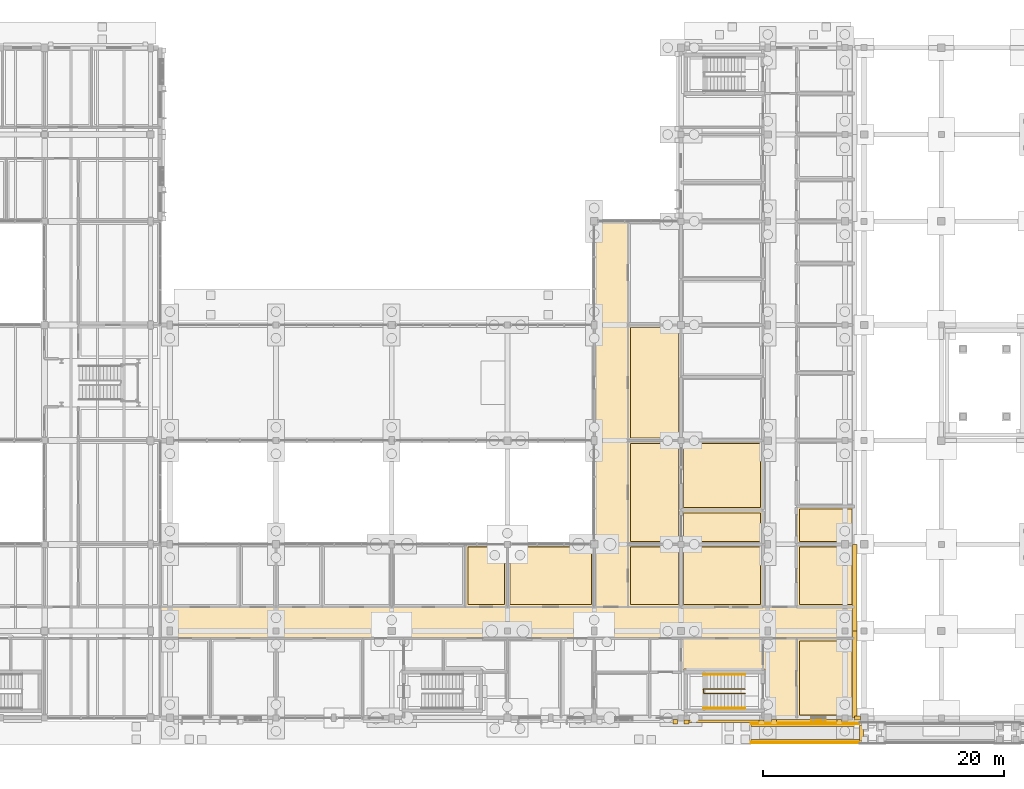
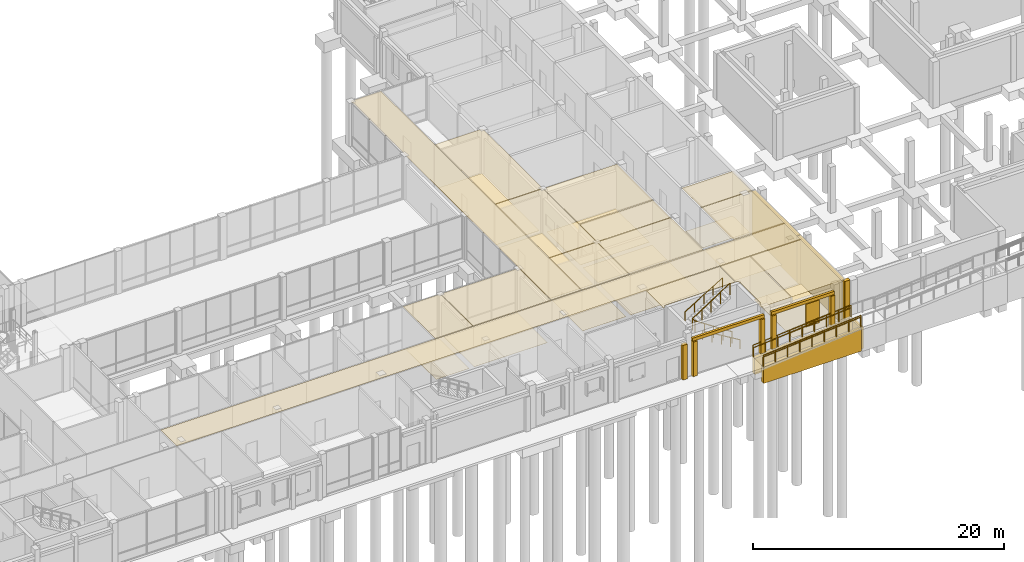
# One storey, part 99 of 104: 39 coverings, 7 railings, 1 shading device.
"""IFC4 building model written with IfcOpenShell, lengths in metres."""

from ifc_helpers import new_model, si_unit, direction, frame, frame_2d, origin, origin_2d, place, context, subcontext, project, spatial, polyline, rectangle, circle, outline, extrude, material, layer, layer_set, type_object, element, save


model = new_model("IFC4")

# Units and contexts
model_context = context("Model", 3, precision=1e-05, world=origin(), true_north=direction((0.0, 1.0)))
body_context = subcontext(model_context, "Body", "Model", "MODEL_VIEW")
ifc_project = project(units=[si_unit("LENGTHUNIT", "METRE"), si_unit("AREAUNIT", "SQUARE_METRE"), si_unit("VOLUMEUNIT", "CUBIC_METRE"), si_unit("PLANEANGLEUNIT", "RADIAN"), si_unit("MASSUNIT", "GRAM", prefix="KILO")], contexts=[model_context])

# Site, building, storey
site_placement = place(None, origin())
site = spatial("IfcSite", under=ifc_project, at=site_placement, CompositionType="ELEMENT")
building_placement = place(site_placement, origin())
building = spatial("IfcBuilding", under=site, at=building_placement, Name="Hawrajan Terrace Health Centre", CompositionType="ELEMENT")
storey_placement = place(building_placement, origin())
storey = spatial("IfcBuildingStorey", under=building, at=storey_placement, Name="L00", CompositionType="ELEMENT", Elevation=0.0)

# Coverings
ifc_material_1 = material(Name="Precast concrete C40/50", Category="concrete")
ifc_layer_1 = layer(ifc_material_1, 0.219970703125)
ifc_layer_set_1 = layer_set([ifc_layer_1], Name="Precast concrete C40/50")
covering_type_1 = type_object("IfcCoveringType", Name="ArtDecoCorniceBand", PredefinedType="CLADDING", material=ifc_layer_set_1)
covering_1_placement = place(storey_placement, frame((118.574951171875, 3.929931640625, 3.3701171875), z_axis=(0.0, 0.0, 1.0), x_axis=(1.0, 0.0, 0.0)))
element("IfcCovering", 1, at=covering_1_placement, inside=storey, type_object=covering_type_1, Name="Art Deco limestone cornice band CRN-L00-0041", PredefinedType="CLADDING", context=body_context, shape_type="SweptSolid", body=[
    extrude(rectangle(XDim=6.610107421875, YDim=0.219970703125, at=origin_2d()), origin(), (0.0, 0.0, 1.0), 0.300048828125),
])
covering_2_placement = place(storey_placement, frame((125.425048828125, 3.93994140625, 3.3701171875), z_axis=(0.0, 0.0, 1.0), x_axis=(1.0, 0.0, 0.0)))
element("IfcCovering", 2, at=covering_2_placement, inside=storey, type_object=covering_type_1, Name="Art Deco limestone cornice band CRN-L00-0045", PredefinedType="CLADDING", context=body_context, shape_type="SweptSolid", body=[
    extrude(rectangle(XDim=5.81005859375, YDim=0.219970703125, at=origin_2d()), origin(), (0.0, 0.0, 1.0), 0.300048828125),
])
ifc_layer_2 = layer(ifc_material_1, 0.340087890625)
ifc_layer_set_2 = layer_set([ifc_layer_2], Name="Precast concrete C40/50")
covering_type_2 = type_object("IfcCoveringType", Name="ArtDecoStonePilaster", PredefinedType="CLADDING", material=ifc_layer_set_2)
for number, where, z_axis, x_axis, name in (
    (3, (114.530029296875, 3.8798828125, 0.0), (0.0, 0.0, 1.0), (1.0, 0.0, 0.0), "Art Deco fluted limestone pilaster FPIL-L00-0050"),
    (4, (115.469970703125, 3.8701171875, 0.0), (0.0, 0.0, 1.0), (1.0, 0.0, 0.0), "Art Deco fluted limestone pilaster FPIL-L00-0051"),
    (5, (121.679931640625, 3.8701171875, 0.0), (0.0, 0.0, 1.0), (1.0, 0.0, 0.0), "Art Deco fluted limestone pilaster FPIL-L00-0052"),
    (6, (122.719970703125, 3.8798828125, 0.0), (0.0, 0.0, 1.0), (1.0, 0.0, 0.0), "Art Deco fluted limestone pilaster FPIL-L00-0059"),
    (7, (128.1298828125, 3.8798828125, 0.0), (0.0, 0.0, 1.0), (1.0, 0.0, 0.0), "Art Deco fluted limestone pilaster FPIL-L00-0060"),
):
    element("IfcCovering", number, at=place(storey_placement, frame(where, z_axis=z_axis, x_axis=x_axis)), inside=storey, type_object=covering_type_2, Name=name, PredefinedType="CLADDING", context=body_context, shape_type="SweptSolid", body=[
        extrude(rectangle(XDim=0.39990234375, YDim=0.340087890625, at=origin_2d()), origin(), (0.0, 0.0, 1.0), 3.360107421875),
    ])
ifc_material_2 = material(Name="Acoustic linear cedar-slat suspended ceiling")
ifc_layer_3 = layer(ifc_material_2, 0.034912109375)
ifc_layer_set_3 = layer_set([ifc_layer_3], Name="Acoustic linear cedar-slat suspended ceiling")
covering_type_3 = type_object("IfcCoveringType", Name="CedarSlatHallCeiling_35", PredefinedType="CEILING", material=ifc_layer_set_3)
covering_3_placement = place(storey_placement, frame((0.0, 0.0, 4.14501953125)))
element("IfcCovering", 8, at=covering_3_placement, inside=storey, type_object=covering_type_3, Name="Suspended ceiling L00-052", PredefinedType="CEILING", context=body_context, shape_type="SweptSolid", body=[
    extrude(outline(polyline([(110.6201171875, 36.780029296875), (114.97998046875, 36.780029296875), (114.97998046875, 27.219970703125), (110.6201171875, 27.219970703125), (110.6201171875, 36.780029296875)])), origin(), (0.0, 0.0, 1.0), 0.034912109375),
])
covering_4_placement = place(storey_placement, frame((0.0, 0.0, 4.14501953125)))
element("IfcCovering", 9, at=covering_4_placement, inside=storey, type_object=covering_type_3, Name="Suspended ceiling L00-059", PredefinedType="CEILING", context=body_context, shape_type="SweptSolid", body=[
    extrude(outline(polyline([(110.6201171875, 27.179931640625), (114.97998046875, 27.179931640625), (114.97998046875, 18.6201171875), (110.6201171875, 18.6201171875), (110.6201171875, 27.179931640625)])), origin(), (0.0, 0.0, 1.0), 0.034912109375),
])
ifc_material_3 = material(Name="Hygienic mineral-fibre acoustic tile ceiling")
ifc_layer_4 = layer(ifc_material_3, 0.02490234375)
ifc_layer_set_4 = layer_set([ifc_layer_4], Name="Hygienic mineral-fibre acoustic tile ceiling")
covering_type_4 = type_object("IfcCoveringType", Name="ClinicalAcousticCeiling_25", PredefinedType="CEILING", material=ifc_layer_set_4)
covering_5_placement = place(storey_placement, frame((0.0, 0.0, 4.155029296875)))
element("IfcCovering", 10, at=covering_5_placement, inside=storey, type_object=covering_type_4, Name="Suspended ceiling L00-032", PredefinedType="CEILING", context=body_context, shape_type="SweptSolid", body=[
    extrude(outline(polyline([(71.824951171875, 13.3798828125), (129.375, 13.3798828125), (129.375, 10.820068359375), (71.824951171875, 10.820068359375), (71.824951171875, 13.3798828125)])), origin(), (0.0, 0.0, 1.0), 0.02490234375),
])
covering_6_placement = place(storey_placement, frame((0.0, 0.0, 4.155029296875)))
element("IfcCovering", 11, at=covering_6_placement, inside=storey, type_object=covering_type_4, Name="Suspended ceiling L00-034", PredefinedType="CEILING", context=body_context, shape_type="SweptSolid", body=[
    extrude(outline(polyline([(121.820068359375, 10.780029296875), (124.580078125, 10.780029296875), (124.580078125, 4.219970703125), (121.820068359375, 4.219970703125), (121.820068359375, 4.531005859375), (121.825439453125, 4.53125), (121.827392578125, 4.531494140625), (121.851806640625, 4.534912109375), (121.853515625, 4.535400390625), (121.87744140625, 4.54150390625), (121.87939453125, 4.5419921875), (121.90234375, 4.55029296875), (121.904296875, 4.551025390625), (121.926513671875, 4.561279296875), (121.927978515625, 4.5625), (121.94921875, 4.574951171875), (121.95068359375, 4.576171875), (121.970458984375, 4.5908203125), (121.971923828125, 4.591796875), (121.990234375, 4.6083984375), (121.99169921875, 4.60986328125), (122.008056640625, 4.6279296875), (122.00927734375, 4.62939453125), (122.02392578125, 4.649169921875), (122.02490234375, 4.65087890625), (122.03759765625, 4.671875), (122.03857421875, 4.673583984375), (122.049072265625, 4.69580078125), (122.0498046875, 4.697509765625), (122.05810546875, 4.720703125), (122.05859375, 4.72265625), (122.064697265625, 4.746337890625), (122.06494140625, 4.748291015625), (122.068603515625, 4.772705078125), (122.06884765625, 4.7744140625), (122.070068359375, 4.799072265625), (122.070068359375, 4.800048828125), (122.070068359375, 8.0), (122.070068359375, 8.0009765625), (122.06884765625, 8.025390625), (122.068603515625, 8.02734375), (122.06494140625, 8.0517578125), (122.064697265625, 8.0537109375), (122.05859375, 8.077392578125), (122.05810546875, 8.079345703125), (122.0498046875, 8.102294921875), (122.049072265625, 8.104248046875), (122.03857421875, 8.12646484375), (122.03759765625, 8.128173828125), (122.02490234375, 8.149169921875), (122.02392578125, 8.15087890625), (122.00927734375, 8.17041015625), (122.008056640625, 8.172119140625), (121.99169921875, 8.190185546875), (121.990234375, 8.191650390625), (121.971923828125, 8.2080078125), (121.970458984375, 8.209228515625), (121.95068359375, 8.223876953125), (121.94921875, 8.22509765625), (121.927978515625, 8.237548828125), (121.926513671875, 8.238525390625), (121.904296875, 8.2490234375), (121.90234375, 8.249755859375), (121.87939453125, 8.258056640625), (121.87744140625, 8.258544921875), (121.853515625, 8.2646484375), (121.851806640625, 8.264892578125), (121.827392578125, 8.2685546875), (121.825439453125, 8.268798828125), (121.820068359375, 8.26904296875), (121.820068359375, 10.780029296875)])), origin(), (0.0, 0.0, 1.0), 0.02490234375),
])
covering_7_placement = place(storey_placement, frame((0.0, 0.0, 4.155029296875)))
element("IfcCovering", 12, at=covering_7_placement, inside=storey, type_object=covering_type_4, Name="Suspended ceiling L00-037", PredefinedType="CEILING", context=body_context, shape_type="SweptSolid", body=[
    extrude(outline(polyline([(115.02001953125, 8.02001953125), (115.02001953125, 10.780029296875), (121.780029296875, 10.780029296875), (121.780029296875, 8.27001953125), (115.39990234375, 8.27001953125), (115.39892578125, 8.27001953125), (115.37451171875, 8.268798828125), (115.37255859375, 8.2685546875), (115.348388671875, 8.264892578125), (115.346435546875, 8.2646484375), (115.322509765625, 8.258544921875), (115.32080078125, 8.258056640625), (115.297607421875, 8.249755859375), (115.2958984375, 8.2490234375), (115.273681640625, 8.238525390625), (115.27197265625, 8.237548828125), (115.250732421875, 8.22509765625), (115.249267578125, 8.223876953125), (115.2294921875, 8.209228515625), (115.22802734375, 8.2080078125), (115.209716796875, 8.191650390625), (115.20849609375, 8.190185546875), (115.19189453125, 8.172119140625), (115.190673828125, 8.17041015625), (115.176025390625, 8.15087890625), (115.175048828125, 8.149169921875), (115.162353515625, 8.128173828125), (115.161376953125, 8.12646484375), (115.15087890625, 8.104248046875), (115.150146484375, 8.102294921875), (115.141845703125, 8.079345703125), (115.141357421875, 8.077392578125), (115.135498046875, 8.0537109375), (115.135009765625, 8.0517578125), (115.13134765625, 8.02734375), (115.131103515625, 8.025390625), (115.131103515625, 8.02001953125), (115.02001953125, 8.02001953125)])), origin(), (0.0, 0.0, 1.0), 0.02490234375),
])
covering_8_placement = place(storey_placement, frame((0.0, 0.0, 4.155029296875)))
element("IfcCovering", 13, at=covering_8_placement, inside=storey, type_object=covering_type_4, Name="Suspended ceiling L00-042", PredefinedType="CEILING", context=body_context, shape_type="SweptSolid", body=[
    extrude(outline(polyline([(107.820068359375, 45.3798828125), (110.580078125, 45.3798828125), (110.580078125, 13.419921875), (107.820068359375, 13.419921875), (107.820068359375, 45.3798828125)])), origin(), (0.0, 0.0, 1.0), 0.02490234375),
])
covering_9_placement = place(storey_placement, frame((0.0, 0.0, 4.155029296875)))
element("IfcCovering", 14, at=covering_9_placement, inside=storey, type_object=covering_type_4, Name="Suspended ceiling L00-107", PredefinedType="CEILING", context=body_context, shape_type="SweptSolid", body=[
    extrude(outline(polyline([(97.12548828125, 18.580078125), (100.580078125, 18.580078125), (100.580078125, 13.419921875), (97.12548828125, 13.419921875), (97.12548828125, 18.580078125)])), origin(), (0.0, 0.0, 1.0), 0.02490234375),
])
covering_10_placement = place(storey_placement, frame((0.0, 0.0, 4.155029296875)))
element("IfcCovering", 15, at=covering_10_placement, inside=storey, type_object=covering_type_4, Name="Suspended ceiling L00-110", PredefinedType="CEILING", context=body_context, shape_type="SweptSolid", body=[
    extrude(outline(polyline([(100.6201171875, 18.580078125), (107.780029296875, 18.580078125), (107.780029296875, 13.419921875), (100.6201171875, 13.419921875), (100.6201171875, 18.580078125)])), origin(), (0.0, 0.0, 1.0), 0.02490234375),
])
covering_11_placement = place(storey_placement, frame((0.0, 0.0, 4.155029296875)))
element("IfcCovering", 16, at=covering_11_placement, inside=storey, type_object=covering_type_4, Name="Suspended ceiling L00-112", PredefinedType="CEILING", context=body_context, shape_type="SweptSolid", body=[
    extrude(outline(polyline([(110.6201171875, 18.580078125), (114.97998046875, 18.580078125), (114.97998046875, 13.419921875), (110.6201171875, 13.419921875), (110.6201171875, 18.580078125)])), origin(), (0.0, 0.0, 1.0), 0.02490234375),
])
covering_12_placement = place(storey_placement, frame((0.0, 0.0, 4.155029296875)))
element("IfcCovering", 17, at=covering_12_placement, inside=storey, type_object=covering_type_4, Name="Suspended ceiling L00-126", PredefinedType="CEILING", context=body_context, shape_type="SweptSolid", body=[
    extrude(outline(polyline([(115.02001953125, 18.580078125), (121.780029296875, 18.580078125), (121.780029296875, 13.419921875), (115.02001953125, 13.419921875), (115.02001953125, 18.580078125)])), origin(), (0.0, 0.0, 1.0), 0.02490234375),
])
covering_13_placement = place(storey_placement, frame((0.0, 0.0, 4.155029296875)))
element("IfcCovering", 18, at=covering_13_placement, inside=storey, type_object=covering_type_4, Name="Suspended ceiling L00-127", PredefinedType="CEILING", context=body_context, shape_type="SweptSolid", body=[
    extrude(outline(polyline([(115.02001953125, 21.409423828125), (121.780029296875, 21.409423828125), (121.780029296875, 18.6201171875), (115.02001953125, 18.6201171875), (115.02001953125, 21.409423828125)])), origin(), (0.0, 0.0, 1.0), 0.02490234375),
])
covering_14_placement = place(storey_placement, frame((0.0, 0.0, 4.155029296875)))
element("IfcCovering", 19, at=covering_14_placement, inside=storey, type_object=covering_type_4, Name="Suspended ceiling L00-128", PredefinedType="CEILING", context=body_context, shape_type="SweptSolid", body=[
    extrude(outline(polyline([(115.02001953125, 27.179931640625), (121.780029296875, 27.179931640625), (121.780029296875, 21.449462890625), (115.02001953125, 21.449462890625), (115.02001953125, 27.179931640625)])), origin(), (0.0, 0.0, 1.0), 0.02490234375),
])
covering_15_placement = place(storey_placement, frame((0.0, 0.0, 4.155029296875)))
element("IfcCovering", 20, at=covering_15_placement, inside=storey, type_object=covering_type_4, Name="Suspended ceiling L00-135", PredefinedType="CEILING", context=body_context, shape_type="SweptSolid", body=[
    extrude(outline(polyline([(124.6201171875, 10.780029296875), (129.375, 10.780029296875), (129.375, 4.219970703125), (124.6201171875, 4.219970703125), (124.6201171875, 10.780029296875)])), origin(), (0.0, 0.0, 1.0), 0.02490234375),
])
covering_16_placement = place(storey_placement, frame((0.0, 0.0, 4.155029296875)))
element("IfcCovering", 21, at=covering_16_placement, inside=storey, type_object=covering_type_4, Name="Suspended ceiling L00-136", PredefinedType="CEILING", context=body_context, shape_type="SweptSolid", body=[
    extrude(outline(polyline([(124.6201171875, 18.580078125), (129.375, 18.580078125), (129.375, 13.419921875), (124.6201171875, 13.419921875), (124.6201171875, 18.580078125)])), origin(), (0.0, 0.0, 1.0), 0.02490234375),
])
covering_17_placement = place(storey_placement, frame((0.0, 0.0, 4.155029296875)))
element("IfcCovering", 22, at=covering_17_placement, inside=storey, type_object=covering_type_4, Name="Suspended ceiling L00-137", PredefinedType="CEILING", context=body_context, shape_type="SweptSolid", body=[
    extrude(outline(polyline([(124.6201171875, 21.71044921875), (129.375, 21.71044921875), (129.375, 18.6201171875), (124.6201171875, 18.6201171875), (124.6201171875, 21.71044921875)])), origin(), (0.0, 0.0, 1.0), 0.02490234375),
])
ifc_material_4 = material(Name="Seamless medical-grade cushioned vinyl flooring")
ifc_layer_5 = layer(ifc_material_4, 0.011962890625)
ifc_layer_set_5 = layer_set([ifc_layer_5], Name="Seamless medical-grade cushioned vinyl flooring")
covering_type_5 = type_object("IfcCoveringType", Name="ClinicalVinylFlooring_12", PredefinedType="FLOORING", material=ifc_layer_set_5)
covering_18_placement = place(storey_placement, origin())
element("IfcCovering", 23, at=covering_18_placement, inside=storey, type_object=covering_type_5, Name="Floor finish L00-107", PredefinedType="FLOORING", context=body_context, shape_type="SweptSolid", body=[
    extrude(outline(polyline([(97.32568359375, 18.3798828125), (100.3798828125, 18.3798828125), (100.3798828125, 13.6201171875), (97.32568359375, 13.6201171875), (97.32568359375, 18.3798828125)])), origin(), (0.0, 0.0, 1.0), 0.011962890625),
])
covering_19_placement = place(storey_placement, origin())
element("IfcCovering", 24, at=covering_19_placement, inside=storey, type_object=covering_type_5, Name="Floor finish L00-110", PredefinedType="FLOORING", context=body_context, shape_type="SweptSolid", body=[
    extrude(outline(polyline([(100.820068359375, 18.3798828125), (107.580078125, 18.3798828125), (107.580078125, 13.6201171875), (100.820068359375, 13.6201171875), (100.820068359375, 18.3798828125)])), origin(), (0.0, 0.0, 1.0), 0.011962890625),
])
covering_20_placement = place(storey_placement, origin())
element("IfcCovering", 25, at=covering_20_placement, inside=storey, type_object=covering_type_5, Name="Floor finish L00-112", PredefinedType="FLOORING", context=body_context, shape_type="SweptSolid", body=[
    extrude(outline(polyline([(110.820068359375, 18.3798828125), (114.780029296875, 18.3798828125), (114.780029296875, 13.6201171875), (110.820068359375, 13.6201171875), (110.820068359375, 18.3798828125)])), origin(), (0.0, 0.0, 1.0), 0.011962890625),
])
covering_21_placement = place(storey_placement, origin())
element("IfcCovering", 26, at=covering_21_placement, inside=storey, type_object=covering_type_5, Name="Floor finish L00-126", PredefinedType="FLOORING", context=body_context, shape_type="SweptSolid", body=[
    extrude(outline(polyline([(115.219970703125, 18.3798828125), (121.580078125, 18.3798828125), (121.580078125, 13.6201171875), (115.219970703125, 13.6201171875), (115.219970703125, 18.3798828125)])), origin(), (0.0, 0.0, 1.0), 0.011962890625),
])
covering_22_placement = place(storey_placement, origin())
element("IfcCovering", 27, at=covering_22_placement, inside=storey, type_object=covering_type_5, Name="Floor finish L00-127", PredefinedType="FLOORING", context=body_context, shape_type="SweptSolid", body=[
    extrude(outline(polyline([(115.219970703125, 21.20947265625), (121.580078125, 21.20947265625), (121.580078125, 18.820068359375), (115.219970703125, 18.820068359375), (115.219970703125, 21.20947265625)])), origin(), (0.0, 0.0, 1.0), 0.011962890625),
])
covering_23_placement = place(storey_placement, origin())
element("IfcCovering", 28, at=covering_23_placement, inside=storey, type_object=covering_type_5, Name="Floor finish L00-128", PredefinedType="FLOORING", context=body_context, shape_type="SweptSolid", body=[
    extrude(outline(polyline([(115.219970703125, 26.97998046875), (121.580078125, 26.97998046875), (121.580078125, 21.6494140625), (115.219970703125, 21.6494140625), (115.219970703125, 26.97998046875)])), origin(), (0.0, 0.0, 1.0), 0.011962890625),
])
covering_24_placement = place(storey_placement, origin())
element("IfcCovering", 29, at=covering_24_placement, inside=storey, type_object=covering_type_5, Name="Floor finish L00-135", PredefinedType="FLOORING", context=body_context, shape_type="SweptSolid", body=[
    extrude(outline(polyline([(124.820068359375, 10.580078125), (129.175048828125, 10.580078125), (129.175048828125, 4.419921875), (124.820068359375, 4.419921875), (124.820068359375, 10.580078125)])), origin(), (0.0, 0.0, 1.0), 0.011962890625),
])
covering_25_placement = place(storey_placement, origin())
element("IfcCovering", 30, at=covering_25_placement, inside=storey, type_object=covering_type_5, Name="Floor finish L00-136", PredefinedType="FLOORING", context=body_context, shape_type="SweptSolid", body=[
    extrude(outline(polyline([(124.820068359375, 18.3798828125), (129.175048828125, 18.3798828125), (129.175048828125, 13.6201171875), (124.820068359375, 13.6201171875), (124.820068359375, 18.3798828125)])), origin(), (0.0, 0.0, 1.0), 0.011962890625),
])
covering_26_placement = place(storey_placement, origin())
element("IfcCovering", 31, at=covering_26_placement, inside=storey, type_object=covering_type_5, Name="Floor finish L00-137", PredefinedType="FLOORING", context=body_context, shape_type="SweptSolid", body=[
    extrude(outline(polyline([(124.820068359375, 21.510498046875), (129.175048828125, 21.510498046875), (129.175048828125, 18.820068359375), (124.820068359375, 18.820068359375), (124.820068359375, 21.510498046875)])), origin(), (0.0, 0.0, 1.0), 0.011962890625),
])
ifc_layer_6 = layer(ifc_material_1, 0.340087890625)
ifc_layer_set_6 = layer_set([ifc_layer_6], Name="Precast concrete C40/50")
covering_type_6 = type_object("IfcCoveringType", Name="EscarpmentAshlar_Cladding", PredefinedType="CLADDING", material=ifc_layer_set_6)
for number, where, z_axis, x_axis, name in (
    (32, (120.800048828125, 2.239990234375, -1.60009765625), (0.0, 0.0, 1.0), (1.0, 0.0, 0.0), "Ramp limestone cheek cladding AR-01-1"),
    (33, (120.800048828125, 3.659912109375, -1.60009765625), (0.0, 0.0, 1.0), (1.0, 0.0, 0.0), "Ramp limestone cheek cladding AR-01-2"),
):
    element("IfcCovering", number, at=place(storey_placement, frame(where, z_axis=z_axis, x_axis=x_axis)), inside=storey, type_object=covering_type_6, Name=name, PredefinedType="CLADDING", context=body_context, shape_type="SweptSolid", body=[
        extrude(outline(polyline([(0.0, 0.0), (9.0, 0.0), (9.0, 2.16015625), (0.0, 1.580078125), (0.0, 0.0)])), frame((0.0, 0.169921875, 0.0), z_axis=(0.0, -1.0, 0.0), x_axis=(1.0, 0.0, 0.0)), (0.0, 0.0, 1.0), 0.340087890625),
    ])
covering_27_placement = place(storey_placement, frame((129.969970703125, 2.340087890625, -1.60009765625), z_axis=(0.0, 0.0, 1.0), x_axis=(0.0, 1.0, 0.0)))
element("IfcCovering", 34, at=covering_27_placement, inside=storey, type_object=covering_type_6, Name="Escarpment stone plinth cladding RMP-01-LND-W", PredefinedType="CLADDING", context=body_context, shape_type="SweptSolid", body=[
    extrude(rectangle(XDim=1.219970703125, YDim=0.340087890625, at=frame_2d((0.60986328125, 0.0))), origin(), (0.0, 0.0, 1.0), 2.1201171875),
])
covering_28_placement = place(storey_placement, frame((129.419921875, 4.199951171875, -0.39990234375), z_axis=(0.0, 0.0, 1.0), x_axis=(1.0, 0.0, 0.0)))
element("IfcCovering", 35, at=covering_28_placement, inside=storey, type_object=covering_type_6, Name="Eastern limestone escarpment plinth cladding EW-ESC-L00-001", PredefinedType="CLADDING", context=body_context, shape_type="SweptSolid", body=[
    extrude(rectangle(XDim=0.47998046875, YDim=0.340087890625, at=frame_2d((0.239990234375, 0.0))), origin(), (0.0, 0.0, 1.0), 4.52001953125),
])
covering_29_placement = place(storey_placement, frame((129.419921875, 4.199951171875, -0.39990234375), z_axis=(0.0, 0.0, 1.0), x_axis=(0.0, 1.0, 0.0)))
element("IfcCovering", 36, at=covering_29_placement, inside=storey, type_object=covering_type_6, Name="Eastern limestone escarpment plinth cladding EW-ESC-L00-003", PredefinedType="CLADDING", context=body_context, shape_type="SweptSolid", body=[
    extrude(rectangle(XDim=7.199951171875, YDim=0.340087890625, at=frame_2d((3.60009765625, 0.0))), origin(), (0.0, 0.0, 1.0), 4.52001953125),
])
covering_30_placement = place(storey_placement, frame((129.419921875, 11.39990234375, -0.39990234375), z_axis=(0.0, 0.0, 1.0), x_axis=(0.0, 1.0, 0.0)))
element("IfcCovering", 37, at=covering_30_placement, inside=storey, type_object=covering_type_6, Name="Eastern limestone escarpment plinth cladding EW-ESC-L00-004", PredefinedType="CLADDING", context=body_context, shape_type="SweptSolid", body=[
    extrude(rectangle(XDim=7.2001953125, YDim=0.340087890625, at=frame_2d((3.60009765625, 0.0))), origin(), (0.0, 0.0, 1.0), 4.52001953125),
])

# Railings
ifc_material_5 = material(Name="Brushed stainless steel handrail", Category="steel")
railing_type_1 = type_object("IfcRailingType", Name="RampHandrail_920", PredefinedType="HANDRAIL", material=ifc_material_5)
for number, where, name in (
    (38, (120.800048828125, 2.18994140625, 0.0), "Ramp accessible handrail AR-01-H1"),
    (39, (120.800048828125, 3.7099609375, 0.0), "Ramp accessible handrail AR-01-H2"),
):
    element("IfcRailing", number, at=place(storey_placement, frame(where)), inside=storey, type_object=railing_type_1, Name=name, PredefinedType="HANDRAIL", context=body_context, shape_type="SweptSolid", body=[
        extrude(circle(Radius=0.02392578125, at=origin_2d()), frame((0.02880859375, 0.0, 0.898193359375), z_axis=(0.996545758245, 0.0, 0.083045479854), x_axis=(0.0, 1.0, 0.0)), (0.0, 0.0, 1.0), 8.973388671875),
        extrude(circle(Radius=0.02099609375, at=origin_2d()), origin(), (0.0, 0.0, 1.0), 0.866943359375),
        extrude(circle(Radius=0.02099609375, at=origin_2d()), frame((1.125, 0.0, 0.09375)), (0.0, 0.0, 1.0), 0.866943359375),
        extrude(circle(Radius=0.02099609375, at=origin_2d()), frame((2.25, 0.0, 0.1875)), (0.0, 0.0, 1.0), 0.866943359375),
        extrude(circle(Radius=0.02099609375, at=origin_2d()), frame((3.375, 0.0, 0.28125)), (0.0, 0.0, 1.0), 0.866943359375),
        extrude(circle(Radius=0.02099609375, at=origin_2d()), frame((4.5, 0.0, 0.375)), (0.0, 0.0, 1.0), 0.866943359375),
        extrude(circle(Radius=0.02099609375, at=origin_2d()), frame((5.625, 0.0, 0.46875)), (0.0, 0.0, 1.0), 0.866943359375),
        extrude(circle(Radius=0.02099609375, at=origin_2d()), frame((6.75, 0.0, 0.5625)), (0.0, 0.0, 1.0), 0.866943359375),
        extrude(circle(Radius=0.02099609375, at=origin_2d()), frame((7.875, 0.0, 0.65625)), (0.0, 0.0, 1.0), 0.866943359375),
        extrude(circle(Radius=0.02099609375, at=origin_2d()), frame((9.0, 0.0, 0.75)), (0.0, 0.0, 1.0), 0.866943359375),
    ])

# Shading device
ifc_material_6 = material(Name="Anodized bronze and cedar roshan lattice")
ifc_layer_7 = layer(ifc_material_6, 0.080078125)
ifc_layer_set_7 = layer_set([ifc_layer_7], Name="Anodized bronze and cedar roshan lattice")
shading_device_type = type_object("IfcShadingDeviceType", Name="RoshanScreen_BronzeCedar", PredefinedType="JALOUSIE", material=ifc_layer_set_7)
shading_device_placement = place(storey_placement, frame((126.4150390625, 4.0048828125, 1.0), z_axis=(0.0, 0.0, 1.0), x_axis=(1.0, 0.0, 0.0)))
element("IfcShadingDevice", 40, at=shading_device_placement, inside=storey, type_object=shading_device_type, Name="Hijazi roshan solar screen RSH-L00-045", PredefinedType="JALOUSIE", context=body_context, shape_type="SweptSolid", body=[
    extrude(rectangle(XDim=1.219970703125, YDim=0.080078125, at=origin_2d()), origin(), (0.0, 0.0, 1.0), 2.199951171875),
])

# Railings
ifc_material_7 = material(Name="Brushed stainless steel tubular handrail", Category="steel")
railing_type_2 = type_object("IfcRailingType", Name="StairHandrail_900", PredefinedType="HANDRAIL", material=ifc_material_7)
railing_1_placement = place(storey_placement, frame((120.324951171875, 5.0, 0.173095703125)))
element("IfcRailing", 41, at=railing_1_placement, inside=storey, type_object=railing_type_2, Name="Stair handrail ST-6-L00-H1", PredefinedType="HANDRAIL", context=body_context, shape_type="SweptSolid", body=[
    extrude(circle(Radius=0.02392578125, at=origin_2d()), frame((-0.024658203125, 0.0, 0.890625), z_axis=(-0.856732359591, 0.0, 0.515761247119), x_axis=(0.0, -1.0, 0.0)), (0.0, 0.0, 1.0), 3.96923828125),
    extrude(circle(Radius=0.02099609375, at=origin_2d()), origin(), (0.0, 0.0, 1.0), 0.846923828125),
    extrude(circle(Radius=0.02099609375, at=origin_2d()), frame((-0.862548828125, 0.0, 0.519287109375)), (0.0, 0.0, 1.0), 0.846923828125),
    extrude(circle(Radius=0.02099609375, at=origin_2d()), frame((-1.72509765625, 0.0, 1.03857421875)), (0.0, 0.0, 1.0), 0.846923828125),
    extrude(circle(Radius=0.02099609375, at=origin_2d()), frame((-2.58740234375, 0.0, 1.5576171875)), (0.0, 0.0, 1.0), 0.846923828125),
    extrude(circle(Radius=0.02099609375, at=origin_2d()), frame((-3.449951171875, 0.0, 2.076904296875)), (0.0, 0.0, 1.0), 0.846923828125),
])
railing_2_placement = place(storey_placement, frame((116.875, 7.800048828125, 2.423095703125)))
element("IfcRailing", 42, at=railing_2_placement, inside=storey, type_object=railing_type_2, Name="Stair handrail ST-6-L00-H2", PredefinedType="HANDRAIL", context=body_context, shape_type="SweptSolid", body=[
    extrude(circle(Radius=0.02392578125, at=origin_2d()), frame((0.024658203125, 0.0, 0.890625), z_axis=(0.856732359591, 0.0, 0.515761247119), x_axis=(0.0, 1.0, 0.0)), (0.0, 0.0, 1.0), 3.96923828125),
    extrude(circle(Radius=0.02099609375, at=origin_2d()), origin(), (0.0, 0.0, 1.0), 0.846923828125),
    extrude(circle(Radius=0.02099609375, at=origin_2d()), frame((0.862548828125, 0.0, 0.519287109375)), (0.0, 0.0, 1.0), 0.846923828125),
    extrude(circle(Radius=0.02099609375, at=origin_2d()), frame((1.72509765625, 0.0, 1.03857421875)), (0.0, 0.0, 1.0), 0.846923828125),
    extrude(circle(Radius=0.02099609375, at=origin_2d()), frame((2.58740234375, 0.0, 1.5576171875)), (0.0, 0.0, 1.0), 0.846923828125),
    extrude(circle(Radius=0.02099609375, at=origin_2d()), frame((3.449951171875, 0.0, 2.076904296875)), (0.0, 0.0, 1.0), 0.846923828125),
])
ifc_material_8 = material(Name="Painted steel stair well guard", Category="steel")
railing_type_3 = type_object("IfcRailingType", Name="StairWellGuard_1120", PredefinedType="GUARDRAIL", material=ifc_material_8)
railing_3_placement = place(storey_placement, frame((120.300048828125, 6.219970703125, 0.0)))
element("IfcRailing", 43, at=railing_3_placement, inside=storey, type_object=railing_type_3, Name="Stair well guard ST-6-L00-G1", PredefinedType="GUARDRAIL", context=body_context, shape_type="SweptSolid", body=[
    extrude(circle(Radius=0.02392578125, at=origin_2d()), frame((-0.024169921875, 0.0, 1.112060546875), z_axis=(-0.833943147616, 0.0, 0.551850366082), x_axis=(0.0, -1.0, 0.0)), (0.0, 0.0, 1.0), 4.01953125),
    extrude(circle(Radius=0.02392578125, at=origin_2d()), frame((-3.404052734375, 0.028564453125, 3.34619140625), z_axis=(-0.137000993654, 0.99057091, 0.0), x_axis=(-0.99057091, -0.137000993654, 0.0)), (0.0, 0.0, 1.0), 0.305908203125),
    extrude(circle(Radius=0.02392578125, at=origin_2d()), frame((-3.42578125, 0.360107421875, 3.36181640625), z_axis=(0.837607059222, 0.0, 0.546273204854), x_axis=(0.0, 1.0, 0.0)), (0.0, 0.0, 1.0), 4.06103515625),
    extrude(circle(Radius=0.02099609375, at=origin_2d()), origin(), (0.0, 0.0, 1.0), 1.067138671875),
    extrude(circle(Radius=0.02099609375, at=origin_2d()), frame((-0.85009765625, 0.0, 0.5625)), (0.0, 0.0, 1.0), 1.067138671875),
    extrude(circle(Radius=0.02099609375, at=origin_2d()), frame((-1.7001953125, 0.0, 1.125)), (0.0, 0.0, 1.0), 1.067138671875),
    extrude(circle(Radius=0.02099609375, at=origin_2d()), frame((-2.550048828125, 0.0, 1.6875)), (0.0, 0.0, 1.0), 1.067138671875),
    extrude(circle(Radius=0.02099609375, at=origin_2d()), frame((-3.400146484375, 0.0, 2.25)), (0.0, 0.0, 1.0), 1.067138671875),
    extrude(circle(Radius=0.02099609375, at=origin_2d()), frame((-3.449951171875, 0.360107421875, 2.25)), (0.0, 0.0, 1.0), 1.067138671875),
    extrude(circle(Radius=0.02099609375, at=origin_2d()), frame((-2.58740234375, 0.360107421875, 2.8125)), (0.0, 0.0, 1.0), 1.067138671875),
    extrude(circle(Radius=0.02099609375, at=origin_2d()), frame((-1.72509765625, 0.360107421875, 3.375)), (0.0, 0.0, 1.0), 1.067138671875),
    extrude(circle(Radius=0.02099609375, at=origin_2d()), frame((-0.862548828125, 0.360107421875, 3.9375)), (0.0, 0.0, 1.0), 1.067138671875),
    extrude(circle(Radius=0.02099609375, at=origin_2d()), frame((0.0, 0.360107421875, 4.5)), (0.0, 0.0, 1.0), 1.067138671875),
])
ifc_material_9 = material(Name="Anodized bronze post and balustrade guard")
railing_type_4 = type_object("IfcRailingType", Name="TerraceGuard_1120", PredefinedType="GUARDRAIL", material=ifc_material_9)
for number, where, name in (
    (44, (120.800048828125, 2.1298828125, 0.0), "Ramp edge guard AR-01-G1"),
    (45, (120.800048828125, 3.77001953125, 0.0), "Ramp edge guard AR-01-G2"),
):
    element("IfcRailing", number, at=place(storey_placement, frame(where)), inside=storey, type_object=railing_type_4, Name=name, PredefinedType="GUARDRAIL", context=body_context, shape_type="SweptSolid", body=[
        extrude(circle(Radius=0.02392578125, at=origin_2d()), frame((0.02880859375, 0.0, 1.098388671875), z_axis=(0.996545758245, 0.0, 0.083045479854), x_axis=(0.0, 1.0, 0.0)), (0.0, 0.0, 1.0), 8.973388671875),
        extrude(circle(Radius=0.02099609375, at=origin_2d()), origin(), (0.0, 0.0, 1.0), 1.067138671875),
        extrude(circle(Radius=0.02099609375, at=origin_2d()), frame((1.125, 0.0, 0.09375)), (0.0, 0.0, 1.0), 1.067138671875),
        extrude(circle(Radius=0.02099609375, at=origin_2d()), frame((2.25, 0.0, 0.1875)), (0.0, 0.0, 1.0), 1.067138671875),
        extrude(circle(Radius=0.02099609375, at=origin_2d()), frame((3.375, 0.0, 0.28125)), (0.0, 0.0, 1.0), 1.067138671875),
        extrude(circle(Radius=0.02099609375, at=origin_2d()), frame((4.5, 0.0, 0.375)), (0.0, 0.0, 1.0), 1.067138671875),
        extrude(circle(Radius=0.02099609375, at=origin_2d()), frame((5.625, 0.0, 0.46875)), (0.0, 0.0, 1.0), 1.067138671875),
        extrude(circle(Radius=0.02099609375, at=origin_2d()), frame((6.75, 0.0, 0.5625)), (0.0, 0.0, 1.0), 1.067138671875),
        extrude(circle(Radius=0.02099609375, at=origin_2d()), frame((7.875, 0.0, 0.65625)), (0.0, 0.0, 1.0), 1.067138671875),
        extrude(circle(Radius=0.02099609375, at=origin_2d()), frame((9.0, 0.0, 0.75)), (0.0, 0.0, 1.0), 1.067138671875),
    ])

# Coverings
ifc_material_10 = material(Name="Polished coral-aggregate terrazzo flooring")
ifc_layer_8 = layer(ifc_material_10, 0.02001953125)
ifc_layer_set_8 = layer_set([ifc_layer_8], Name="Polished coral-aggregate terrazzo flooring")
covering_type_7 = type_object("IfcCoveringType", Name="TerrazzoHallFlooring_20", PredefinedType="FLOORING", material=ifc_layer_set_8)
covering_31_placement = place(storey_placement, origin())
element("IfcCovering", 46, at=covering_31_placement, inside=storey, type_object=covering_type_7, Name="Floor finish L00-052", PredefinedType="FLOORING", context=body_context, shape_type="SweptSolid", body=[
    extrude(outline(polyline([(110.820068359375, 36.580078125), (114.780029296875, 36.580078125), (114.780029296875, 27.419921875), (110.820068359375, 27.419921875), (110.820068359375, 36.580078125)])), origin(), (0.0, 0.0, 1.0), 0.02001953125),
])
covering_32_placement = place(storey_placement, origin())
element("IfcCovering", 47, at=covering_32_placement, inside=storey, type_object=covering_type_7, Name="Floor finish L00-059", PredefinedType="FLOORING", context=body_context, shape_type="SweptSolid", body=[
    extrude(outline(polyline([(110.820068359375, 26.97998046875), (114.780029296875, 26.97998046875), (114.780029296875, 18.820068359375), (110.820068359375, 18.820068359375), (110.820068359375, 26.97998046875)])), origin(), (0.0, 0.0, 1.0), 0.02001953125),
])

save(model, "model.ifc")
